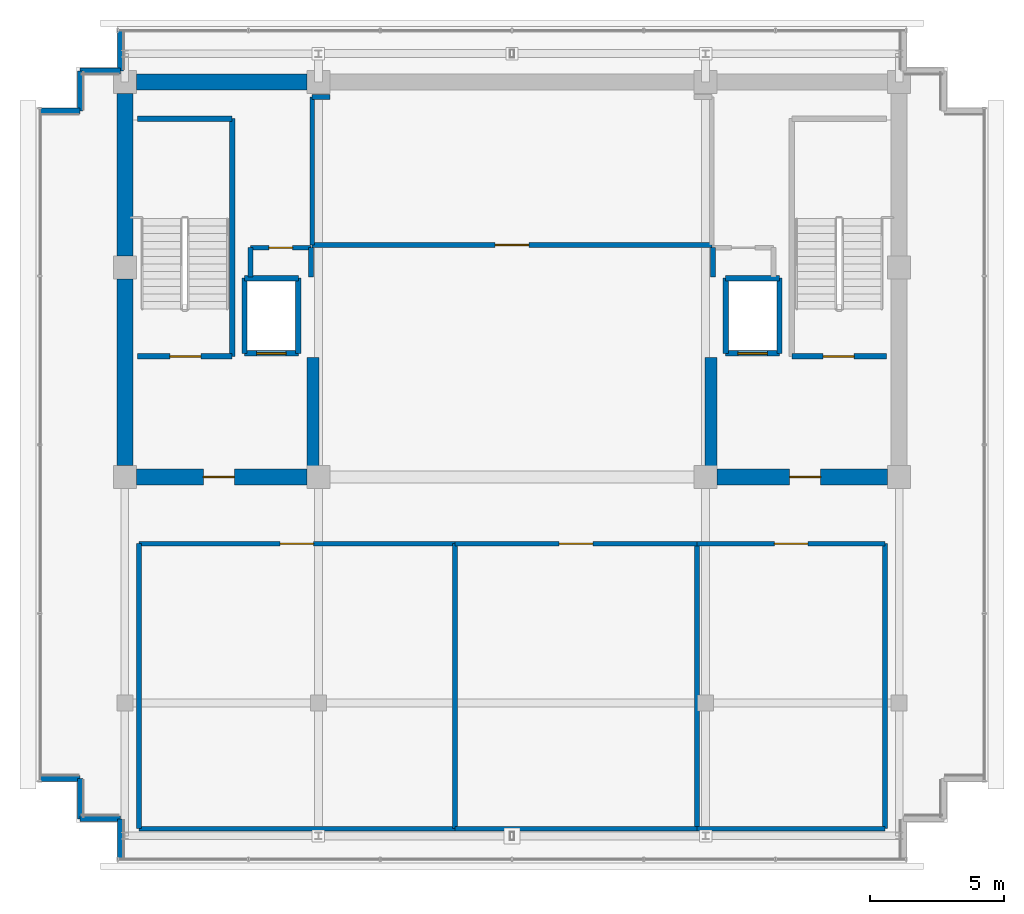
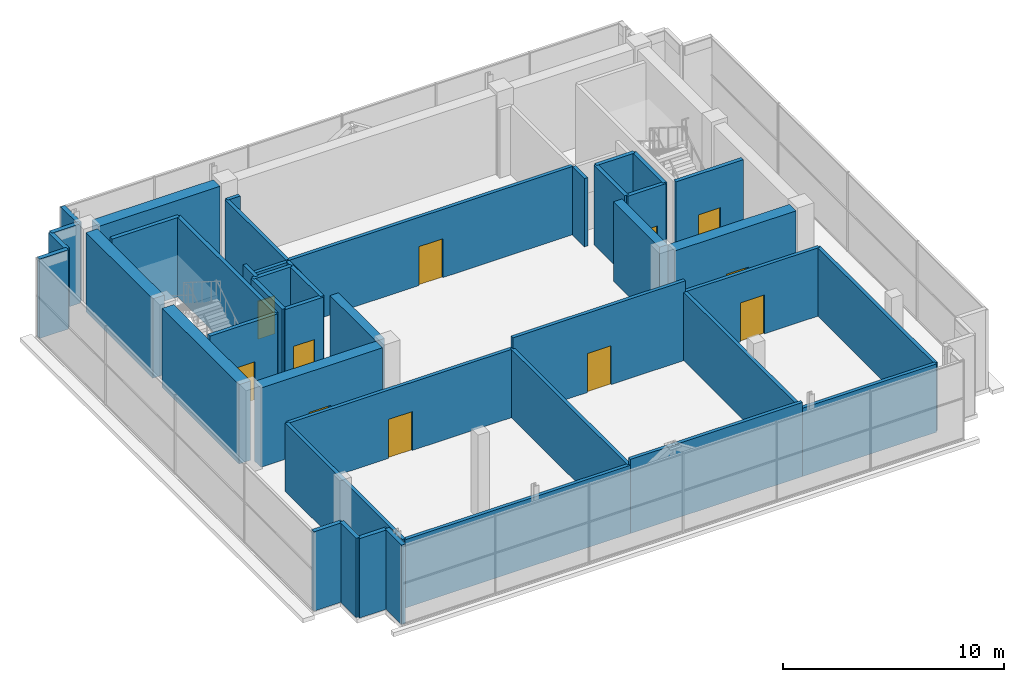
# One storey, part 24 of 27: 44 walls, 11 doors, 11 openings.
"""IFC4 building model written with IfcOpenShell, lengths in metres."""

from ifc_helpers import new_model, si_unit, direction, frame, frame_2d, origin, place, context, subcontext, project, spatial, rectangle, extrude, source, transform, mapped, material, layer, layer_set, type_object, element, fill, save


model = new_model("IFC4")

# Units and contexts
model_context = context("Model", 3, precision=1e-05, world=origin(), true_north=direction((0.0, 1.0)))
body_context = subcontext(model_context, "Body", "Model", "MODEL_VIEW")
ifc_project = project(units=[si_unit("LENGTHUNIT", "METRE"), si_unit("AREAUNIT", "SQUARE_METRE"), si_unit("VOLUMEUNIT", "CUBIC_METRE"), si_unit("PLANEANGLEUNIT", "RADIAN"), si_unit("MASSUNIT", "GRAM", prefix="KILO")], contexts=[model_context])

# Site, building, storey
site_placement = place(None, origin())
site = spatial("IfcSite", under=ifc_project, at=site_placement, CompositionType="ELEMENT")
building_placement = place(site_placement, origin())
building = spatial("IfcBuilding", under=site, at=building_placement, Name="Zarnakvel Exchange Tower", CompositionType="ELEMENT")
storey_placement = place(building_placement, frame((0.0, 0.0, 294.60009765625)))
storey = spatial("IfcBuildingStorey", under=building, at=storey_placement, Name="Crown L82", CompositionType="ELEMENT", Elevation=294.60009765625)

# Walls
ifc_material_1 = material(Name="Concrete C50/60", Category="concrete")
ifc_layer_1 = layer(ifc_material_1, 0.60009765625)
ifc_layer_set_1 = layer_set([ifc_layer_1], Name="Concrete C50/60")
wall_type_1 = type_object("IfcWallType", Name="CW-C5", PredefinedType="SHEAR", material=ifc_layer_set_1)
wall_1_placement = place(storey_placement, frame((-13.97509765625, 13.5, 0.0), z_axis=(0.0, 0.0, 1.0), x_axis=(1.0, 0.0, 0.0)))
element("IfcWall", 1, at=wall_1_placement, inside=storey, type_object=wall_type_1, Name="Crown L82 Rear Core Shear Wall N1 (CW-C5)", PredefinedType="SHEAR", context=body_context, shape_type="SweptSolid", body=[
    extrude(rectangle(XDim=6.35009765625, YDim=0.60009765625, at=frame_2d((3.175048828125, 0.0))), origin(), (0.0, 0.0, 1.0), 4.3798828125),
])
wall_2_placement = place(storey_placement, frame((-14.39990234375, -0.77490234375, 0.0), z_axis=(0.0, 0.0, 1.0), x_axis=(0.0, 1.0, 0.0)))
element("IfcWall", 2, at=wall_2_placement, inside=storey, type_object=wall_type_1, Name="Crown L82 Rear Core Shear Wall W1 (CW-C5)", PredefinedType="SHEAR", context=body_context, shape_type="SweptSolid", body=[
    extrude(rectangle(XDim=6.949951171875, YDim=0.60009765625, at=frame_2d((3.47509765625, 0.0))), origin(), (0.0, 0.0, 1.0), 4.3798828125),
])
wall_3_placement = place(storey_placement, frame((-14.39990234375, 7.02490234375, 0.0), z_axis=(0.0, 0.0, 1.0), x_axis=(0.0, 1.0, 0.0)))
element("IfcWall", 3, at=wall_3_placement, inside=storey, type_object=wall_type_1, Name="Crown L82 Rear Core Shear Wall W2 (CW-C5)", PredefinedType="SHEAR", context=body_context, shape_type="SweptSolid", body=[
    extrude(rectangle(XDim=6.050048828125, YDim=0.60009765625, at=frame_2d((3.02490234375, 0.0))), origin(), (0.0, 0.0, 1.0), 4.3798828125),
])

# Wall, opening, door
wall_4_placement = place(storey_placement, frame((-7.625, -1.199951171875, 0.0), z_axis=(0.0, 0.0, 1.0), x_axis=(-1.0, 0.0, 0.0)))
wall_4 = element("IfcWall", 4, at=wall_4_placement, inside=storey, type_object=wall_type_1, Name="Crown L82 Rear Core Shear Wall SW (CW-C5)", PredefinedType="SHEAR", context=body_context, shape_type="SweptSolid", body=[
    extrude(rectangle(XDim=6.35009765625, YDim=0.60009765625, at=frame_2d((3.175048828125, 0.0))), origin(), (0.0, 0.0, 1.0), 4.3798828125),
])
opening_1_placement = place(wall_4_placement, frame((2.699951171875, 0.0, 0.0)))
opening_1 = element("IfcOpeningElement", 5, at=opening_1_placement, cuts=wall_4, Name="Opening D-Crown L82-03", PredefinedType="OPENING", context=body_context, shape_type="SweptSolid", body=[
    extrude(rectangle(XDim=1.14990234375, YDim=2.14990234375, at=frame_2d((0.574951171875, 1.074951171875))), frame((0.0, 0.31005859375, 0.0), z_axis=(0.0, -1.0, 0.0), x_axis=(1.0, 0.0, 0.0)), (0.0, 0.0, 1.0), 0.6201171875),
])
ifc_material_2 = material(Name="Painted Galvanised Steel S355", Category="steel")
door_type_1 = type_object("IfcDoorType", Name="DT-04", OperationType="NOTDEFINED", PredefinedType="DOOR", material=ifc_material_2)
shared_shape_1 = source(origin(), body_context, "Body", "SweptSolid", [
    extrude(rectangle(XDim=1.14990234375, YDim=2.14990234375, at=frame_2d((0.574951171875, 1.074951171875))), frame((0.0, 0.02490234375, 0.0), z_axis=(0.0, -1.0, 0.0), x_axis=(1.0, 0.0, 0.0)), (0.0, 0.0, 1.0), 0.050048828125),
])
door_1_placement = place(opening_1_placement, origin())
door_1 = element("IfcDoor", 6, at=door_1_placement, inside=storey, type_object=door_type_1, Name="Crown L82 Firefighting Lobby West Door D-Crown L82-03", OperationType="SINGLE_SWING_LEFT", OverallHeight=2.14990234375, OverallWidth=1.14990234375, PredefinedType="DOOR", context=body_context, shape_type="MappedRepresentation", body=[
    mapped(shared_shape_1, transform((0.0, 0.0, 0.0), x_axis=(1.0, 0.0, 0.0), y_axis=(0.0, 1.0, 0.0), z_axis=(0.0, 0.0, 1.0), scale=1.0)),
])
fill(opening_1, door_1)

wall_5_placement = place(storey_placement, frame((13.97509765625, -1.199951171875, 0.0), z_axis=(0.0, 0.0, 1.0), x_axis=(-1.0, 0.0, 0.0)))
wall_5 = element("IfcWall", 7, at=wall_5_placement, inside=storey, type_object=wall_type_1, Name="Crown L82 Rear Core Shear Wall SE (CW-C5)", PredefinedType="SHEAR", context=body_context, shape_type="SweptSolid", body=[
    extrude(rectangle(XDim=6.35009765625, YDim=0.60009765625, at=frame_2d((3.175048828125, 0.0))), origin(), (0.0, 0.0, 1.0), 4.3798828125),
])
opening_2_placement = place(wall_5_placement, frame((2.5, 0.0, 0.0)))
opening_2 = element("IfcOpeningElement", 8, at=opening_2_placement, cuts=wall_5, Name="Opening D-Crown L82-04", PredefinedType="OPENING", context=body_context, shape_type="SweptSolid", body=[
    extrude(rectangle(XDim=1.14990234375, YDim=2.14990234375, at=frame_2d((0.574951171875, 1.074951171875))), frame((0.0, 0.31005859375, 0.0), z_axis=(0.0, -1.0, 0.0), x_axis=(1.0, 0.0, 0.0)), (0.0, 0.0, 1.0), 0.6201171875),
])
door_2_placement = place(opening_2_placement, origin())
door_2 = element("IfcDoor", 9, at=door_2_placement, inside=storey, type_object=door_type_1, Name="Crown L82 Firefighting Lobby East Door D-Crown L82-04", OperationType="SINGLE_SWING_RIGHT", OverallHeight=2.14990234375, OverallWidth=1.14990234375, PredefinedType="DOOR", context=body_context, shape_type="MappedRepresentation", body=[
    mapped(shared_shape_1, transform((0.0, 0.0, 0.0), x_axis=(1.0, 0.0, 0.0), y_axis=(0.0, 1.0, 0.0), z_axis=(0.0, 0.0, 1.0), scale=1.0)),
])
fill(opening_2, door_2)

# Walls
ifc_layer_2 = layer(ifc_material_1, 0.449951171875)
ifc_layer_set_2 = layer_set([ifc_layer_2], Name="Concrete C50/60")
wall_type_2 = type_object("IfcWallType", Name="CW-C6", PredefinedType="SHEAR", material=ifc_layer_set_2)
for number, where, z_axis, x_axis, name in (
    (10, (-7.39990234375, -0.89990234375, 0.0), (0.0, 0.0, 1.0), (0.0, 1.0, 0.0), "Crown L82 Rear Core Shear Wall IW (CW-C6)"),
    (11, (7.39990234375, -0.89990234375, 0.0), (0.0, 0.0, 1.0), (0.0, 1.0, 0.0), "Crown L82 Rear Core Shear Wall IE (CW-C6)"),
):
    element("IfcWall", number, at=place(storey_placement, frame(where, z_axis=z_axis, x_axis=x_axis)), inside=storey, type_object=wall_type_2, Name=name, PredefinedType="SHEAR", context=body_context, shape_type="SweptSolid", body=[
        extrude(rectangle(XDim=4.14990234375, YDim=0.449951171875, at=frame_2d((2.074951171875, 0.0))), origin(), (0.0, 0.0, 1.0), 4.3798828125),
    ])
ifc_material_3 = material(Name="Precast concrete C40/50", Category="concrete")
ifc_layer_3 = layer(ifc_material_3, 0.219970703125)
ifc_layer_set_3 = layer_set([ifc_layer_3], Name="Precast concrete C40/50")
wall_type_3 = type_object("IfcWallType", Name="EW-03", PredefinedType="SOLIDWALL", material=ifc_layer_set_3)
for number, where, z_axis, x_axis, name in (
    (12, (-16.06005859375, 12.409912109375, 0.0), (0.0, 0.0, 1.0), (-1.0, 0.0, 0.0), "Crown L82 Exterior Precast Spandrel Wall EW-Crown L82-C02 (EW-03)"),
    (13, (-16.06005859375, 13.909912109375, 0.0), (0.0, 0.0, 1.0), (0.0, -1.0, 0.0), "Crown L82 Exterior Precast Spandrel Wall EW-Crown L82-C03 (EW-03)"),
    (14, (-14.56005859375, 13.909912109375, 0.0), (0.0, 0.0, 1.0), (-1.0, 0.0, 0.0), "Crown L82 Exterior Precast Spandrel Wall EW-Crown L82-C04 (EW-03)"),
    (15, (-14.56005859375, 15.409912109375, 0.0), (0.0, 0.0, 1.0), (0.0, -1.0, 0.0), "Crown L82 Exterior Precast Spandrel Wall EW-Crown L82-C05 (EW-03)"),
    (16, (-14.56005859375, -13.909912109375, 0.0), (0.0, 0.0, 1.0), (0.0, -1.0, 0.0), "Crown L82 Exterior Precast Spandrel Wall EW-Crown L82-C17 (EW-03)"),
    (17, (-16.06005859375, -13.909912109375, 0.0), (0.0, 0.0, 1.0), (1.0, 0.0, 0.0), "Crown L82 Exterior Precast Spandrel Wall EW-Crown L82-C18 (EW-03)"),
    (18, (-16.06005859375, -12.409912109375, 0.0), (0.0, 0.0, 1.0), (0.0, -1.0, 0.0), "Crown L82 Exterior Precast Spandrel Wall EW-Crown L82-C19 (EW-03)"),
    (19, (-17.56005859375, -12.409912109375, 0.0), (0.0, 0.0, 1.0), (1.0, 0.0, 0.0), "Crown L82 Exterior Precast Spandrel Wall EW-Crown L82-C20 (EW-03)"),
):
    element("IfcWall", number, at=place(storey_placement, frame(where, z_axis=z_axis, x_axis=x_axis)), inside=storey, type_object=wall_type_3, Name=name, PredefinedType="SOLIDWALL", context=body_context, shape_type="SweptSolid", body=[
        extrude(rectangle(XDim=1.5, YDim=0.219970703125, at=frame_2d((0.75, 0.0))), origin(), (0.0, 0.0, 1.0), 4.3798828125),
    ])

# Wall, opening, door
ifc_material_4 = material(Name="Fire-Rated Gypsum Stud Partition", Category="gypsum")
ifc_layer_4 = layer(ifc_material_4, 0.179931640625)
ifc_layer_set_4 = layer_set([ifc_layer_4], Name="Fire-Rated Gypsum Stud Partition")
wall_type_4 = type_object("IfcWallType", Name="PT-02", PredefinedType="PARTITIONING", material=ifc_layer_set_4)
wall_6_placement = place(storey_placement, frame((7.429931640625, 7.429931640625, 0.0), z_axis=(0.0, 0.0, 1.0), x_axis=(-1.0, 0.0, 0.0)))
wall_6 = element("IfcWall", 20, at=wall_6_placement, inside=storey, type_object=wall_type_4, Name="Crown L82 Partition Wall PWALL-Crown L82-007 (PT-02)", PredefinedType="PARTITIONING", context=body_context, shape_type="SweptSolid", body=[
    extrude(rectangle(XDim=14.85986328125, YDim=0.179931640625, at=frame_2d((7.429931640625, 0.0))), origin(), (0.0, 0.0, 1.0), 3.77001953125),
])
opening_3_placement = place(wall_6_placement, frame((6.804931640625, 0.0, 0.0)))
opening_3 = element("IfcOpeningElement", 21, at=opening_3_placement, cuts=wall_6, Name="Opening D-Crown L82-05", PredefinedType="OPENING", context=body_context, shape_type="SweptSolid", body=[
    extrude(rectangle(XDim=1.25, YDim=2.14990234375, at=frame_2d((0.625, 1.074951171875))), frame((0.0, 0.099853515625, 0.0), z_axis=(0.0, -1.0, 0.0), x_axis=(1.0, 0.0, 0.0)), (0.0, 0.0, 1.0), 0.199951171875),
])
door_type_2 = type_object("IfcDoorType", Name="DT-06", OperationType="NOTDEFINED", PredefinedType="DOOR", material=ifc_material_2)
shared_shape_2 = source(origin(), body_context, "Body", "SweptSolid", [
    extrude(rectangle(XDim=1.25, YDim=2.14990234375, at=frame_2d((0.625, 1.074951171875))), frame((0.0, 0.02490234375, 0.0), z_axis=(0.0, -1.0, 0.0), x_axis=(1.0, 0.0, 0.0)), (0.0, 0.0, 1.0), 0.050048828125),
])
door_3_placement = place(opening_3_placement, origin())
door_3 = element("IfcDoor", 22, at=door_3_placement, inside=storey, type_object=door_type_2, Name="Crown L82 High-Rise Lift Machine Room Door D-Crown L82-05", OperationType="SINGLE_SWING_LEFT", OverallHeight=2.14990234375, OverallWidth=1.25, PredefinedType="DOOR", context=body_context, shape_type="MappedRepresentation", body=[
    mapped(shared_shape_2, transform((0.0, 0.0, 0.0), x_axis=(1.0, 0.0, 0.0), y_axis=(0.0, 1.0, 0.0), z_axis=(0.0, 0.0, 1.0), scale=1.0)),
])
fill(opening_3, door_3)

# Walls
wall_7_placement = place(storey_placement, frame((-7.429931640625, 12.929931640625, 0.0), z_axis=(0.0, 0.0, 1.0), x_axis=(1.0, 0.0, 0.0)))
element("IfcWall", 23, at=wall_7_placement, inside=storey, type_object=wall_type_4, Name="Crown L82 Partition Wall PWALL-Crown L82-008 (PT-02)", PredefinedType="PARTITIONING", context=body_context, shape_type="SweptSolid", body=[
    extrude(rectangle(XDim=0.655029296875, YDim=0.179931640625, at=frame_2d((0.32763671875, 0.0))), origin(), (0.0, 0.0, 1.0), 3.77001953125),
])
wall_8_placement = place(storey_placement, frame((-7.429931640625, 7.429931640625, 0.0), z_axis=(0.0, 0.0, 1.0), x_axis=(0.0, 1.0, 0.0)))
element("IfcWall", 24, at=wall_8_placement, inside=storey, type_object=wall_type_4, Name="Crown L82 Partition Wall PWALL-Crown L82-010 (PT-02)", PredefinedType="PARTITIONING", context=body_context, shape_type="SweptSolid", body=[
    extrude(rectangle(XDim=5.5, YDim=0.179931640625, at=frame_2d((2.75, 0.0))), origin(), (0.0, 0.0, 1.0), 3.77001953125),
])

# Wall, opening, door
wall_9_placement = place(storey_placement, frame((-9.72998046875, 7.330078125, 0.0), z_axis=(0.0, 0.0, 1.0), x_axis=(1.0, 0.0, 0.0)))
wall_9 = element("IfcWall", 25, at=wall_9_placement, inside=storey, type_object=wall_type_4, Name="Crown L82 Partition Wall PWALL-Crown L82-012 (PT-02)", PredefinedType="PARTITIONING", context=body_context, shape_type="SweptSolid", body=[
    extrude(rectangle(XDim=2.260009765625, YDim=0.179931640625, at=frame_2d((1.1298828125, 0.0))), origin(), (0.0, 0.0, 1.0), 3.77001953125),
])
opening_4_placement = place(wall_9_placement, frame((0.68994140625, 0.0, 0.0)))
opening_4 = element("IfcOpeningElement", 26, at=opening_4_placement, cuts=wall_9, Name="Opening D-Crown L82-09", PredefinedType="OPENING", context=body_context, shape_type="SweptSolid", body=[
    extrude(rectangle(XDim=0.8798828125, YDim=2.10009765625, at=frame_2d((0.43994140625, 1.050048828125))), frame((0.0, 0.099853515625, 0.0), z_axis=(0.0, -1.0, 0.0), x_axis=(1.0, 0.0, 0.0)), (0.0, 0.0, 1.0), 0.199951171875),
])
door_type_3 = type_object("IfcDoorType", Name="DT-08", OperationType="NOTDEFINED", PredefinedType="DOOR", material=ifc_material_2)
shared_shape_3 = source(origin(), body_context, "Body", "SweptSolid", [
    extrude(rectangle(XDim=0.8798828125, YDim=2.10009765625, at=frame_2d((0.43994140625, 1.050048828125))), frame((0.0, 0.02490234375, 0.0), z_axis=(0.0, -1.0, 0.0), x_axis=(1.0, 0.0, 0.0)), (0.0, 0.0, 1.0), 0.050048828125),
])
door_4_placement = place(opening_4_placement, origin())
door_4 = element("IfcDoor", 27, at=door_4_placement, inside=storey, type_object=door_type_3, Name="Crown L82 Electrical Riser Door D-Crown L82-09", OperationType="SINGLE_SWING_LEFT", OverallHeight=2.10009765625, OverallWidth=0.8798828125, PredefinedType="DOOR", context=body_context, shape_type="MappedRepresentation", body=[
    mapped(shared_shape_3, transform((0.0, 0.0, 0.0), x_axis=(1.0, 0.0, 0.0), y_axis=(0.0, 1.0, 0.0), z_axis=(0.0, 0.0, 1.0), scale=1.0)),
])
fill(opening_4, door_4)

# Walls
wall_10_placement = place(storey_placement, frame((-9.72998046875, 6.239990234375, 0.0), z_axis=(0.0, 0.0, 1.0), x_axis=(0.0, 1.0, 0.0)))
element("IfcWall", 28, at=wall_10_placement, inside=storey, type_object=wall_type_4, Name="Crown L82 Partition Wall PWALL-Crown L82-013 (PT-02)", PredefinedType="PARTITIONING", context=body_context, shape_type="SweptSolid", body=[
    extrude(rectangle(XDim=1.090087890625, YDim=0.179931640625, at=frame_2d((0.544921875, 0.0))), origin(), (0.0, 0.0, 1.0), 4.3798828125),
])
for number, where, z_axis, x_axis, name in (
    (29, (-7.469970703125, 7.330078125, 0.0), (0.0, 0.0, 1.0), (0.0, -1.0, 0.0), "Crown L82 Partition Wall PWALL-Crown L82-014 (PT-02)"),
    (30, (7.469970703125, 6.239990234375, 0.0), (0.0, 0.0, 1.0), (0.0, 1.0, 0.0), "Crown L82 Partition Wall PWALL-Crown L82-016 (PT-02)"),
):
    element("IfcWall", number, at=place(storey_placement, frame(where, z_axis=z_axis, x_axis=x_axis)), inside=storey, type_object=wall_type_4, Name=name, PredefinedType="PARTITIONING", context=body_context, shape_type="SweptSolid", body=[
        extrude(rectangle(XDim=1.090087890625, YDim=0.179931640625, at=frame_2d((0.544921875, 0.0))), origin(), (0.0, 0.0, 1.0), 3.77001953125),
    ])
wall_11_placement = place(storey_placement, frame((-2.1201171875, -14.280029296875, 0.0), z_axis=(0.0, 0.0, 1.0), x_axis=(-1.0, 0.0, 0.0)))
element("IfcWall", 31, at=wall_11_placement, inside=storey, type_object=wall_type_4, Name="Crown L82 Partition Wall PWALL-Crown L82-018 (PT-02)", PredefinedType="PARTITIONING", context=body_context, shape_type="SweptSolid", body=[
    extrude(rectangle(XDim=11.759765625, YDim=0.179931640625, at=frame_2d((5.8798828125, 0.0))), origin(), (0.0, 0.0, 1.0), 3.77001953125),
])

# Wall, opening, door
wall_12_placement = place(storey_placement, frame((-13.8798828125, -3.679931640625, 0.0), z_axis=(0.0, 0.0, 1.0), x_axis=(1.0, 0.0, 0.0)))
wall_12 = element("IfcWall", 32, at=wall_12_placement, inside=storey, type_object=wall_type_4, Name="Crown L82 Partition Wall PWALL-Crown L82-019 (PT-02)", PredefinedType="PARTITIONING", context=body_context, shape_type="SweptSolid", body=[
    extrude(rectangle(XDim=11.759765625, YDim=0.179931640625, at=frame_2d((5.8798828125, 0.0))), origin(), (0.0, 0.0, 1.0), 3.77001953125),
])
opening_5_placement = place(wall_12_placement, frame((5.2548828125, 0.0, 0.0)))
opening_5 = element("IfcOpeningElement", 33, at=opening_5_placement, cuts=wall_12, Name="Opening D-Crown L82-06", PredefinedType="OPENING", context=body_context, shape_type="SweptSolid", body=[
    extrude(rectangle(XDim=1.25, YDim=2.14990234375, at=frame_2d((0.625, 1.074951171875))), frame((0.0, 0.099853515625, 0.0), z_axis=(0.0, -1.0, 0.0), x_axis=(1.0, 0.0, 0.0)), (0.0, 0.0, 1.0), 0.199951171875),
])
door_5_placement = place(opening_5_placement, origin())
door_5 = element("IfcDoor", 34, at=door_5_placement, inside=storey, type_object=door_type_2, Name="Crown L82 Rainwater Harvesting Tank Room Door D-Crown L82-06", OperationType="SINGLE_SWING_RIGHT", OverallHeight=2.14990234375, OverallWidth=1.25, PredefinedType="DOOR", context=body_context, shape_type="MappedRepresentation", body=[
    mapped(shared_shape_2, transform((0.0, 0.0, 0.0), x_axis=(1.0, 0.0, 0.0), y_axis=(0.0, 1.0, 0.0), z_axis=(0.0, 0.0, 1.0), scale=1.0)),
])
fill(opening_5, door_5)

# Walls
for number, where, z_axis, x_axis, name in (
    (35, (-13.8798828125, -14.280029296875, 0.0), (0.0, 0.0, 1.0), (0.0, 1.0, 0.0), "Crown L82 Partition Wall PWALL-Crown L82-020 (PT-02)"),
    (36, (-2.1201171875, -3.679931640625, 0.0), (0.0, 0.0, 1.0), (0.0, -1.0, 0.0), "Crown L82 Partition Wall PWALL-Crown L82-021 (PT-02)"),
):
    element("IfcWall", number, at=place(storey_placement, frame(where, z_axis=z_axis, x_axis=x_axis)), inside=storey, type_object=wall_type_4, Name=name, PredefinedType="PARTITIONING", context=body_context, shape_type="SweptSolid", body=[
        extrude(rectangle(XDim=10.60009765625, YDim=0.179931640625, at=frame_2d((5.300048828125, 0.0))), origin(), (0.0, 0.0, 1.0), 3.77001953125),
    ])
wall_13_placement = place(storey_placement, frame((6.8798828125, -14.280029296875, 0.0), z_axis=(0.0, 0.0, 1.0), x_axis=(-1.0, 0.0, 0.0)))
element("IfcWall", 37, at=wall_13_placement, inside=storey, type_object=wall_type_4, Name="Crown L82 Partition Wall PWALL-Crown L82-022 (PT-02)", PredefinedType="PARTITIONING", context=body_context, shape_type="SweptSolid", body=[
    extrude(rectangle(XDim=9.0, YDim=0.179931640625, at=frame_2d((4.5, 0.0))), origin(), (0.0, 0.0, 1.0), 4.08984375),
])

# Wall, opening, door
wall_14_placement = place(storey_placement, frame((-2.1201171875, -3.679931640625, 0.0), z_axis=(0.0, 0.0, 1.0), x_axis=(1.0, 0.0, 0.0)))
wall_14 = element("IfcWall", 38, at=wall_14_placement, inside=storey, type_object=wall_type_4, Name="Crown L82 Partition Wall PWALL-Crown L82-023 (PT-02)", PredefinedType="PARTITIONING", context=body_context, shape_type="SweptSolid", body=[
    extrude(rectangle(XDim=9.0, YDim=0.179931640625, at=frame_2d((4.5, 0.0))), origin(), (0.0, 0.0, 1.0), 4.3798828125),
])
opening_6_placement = place(wall_14_placement, frame((3.875, 0.0, 0.0)))
opening_6 = element("IfcOpeningElement", 39, at=opening_6_placement, cuts=wall_14, Name="Opening D-Crown L82-07", PredefinedType="OPENING", context=body_context, shape_type="SweptSolid", body=[
    extrude(rectangle(XDim=1.25, YDim=2.14990234375, at=frame_2d((0.625, 1.074951171875))), frame((0.0, 0.099853515625, 0.0), z_axis=(0.0, -1.0, 0.0), x_axis=(1.0, 0.0, 0.0)), (0.0, 0.0, 1.0), 0.199951171875),
])
door_6_placement = place(opening_6_placement, origin())
door_6 = element("IfcDoor", 40, at=door_6_placement, inside=storey, type_object=door_type_2, Name="Crown L82 Smoke Extract Fan Plant Room Door D-Crown L82-07", OperationType="SINGLE_SWING_LEFT", OverallHeight=2.14990234375, OverallWidth=1.25, PredefinedType="DOOR", context=body_context, shape_type="MappedRepresentation", body=[
    mapped(shared_shape_2, transform((0.0, 0.0, 0.0), x_axis=(1.0, 0.0, 0.0), y_axis=(0.0, 1.0, 0.0), z_axis=(0.0, 0.0, 1.0), scale=1.0)),
])
fill(opening_6, door_6)

# Walls
wall_15_placement = place(storey_placement, frame((6.8798828125, -3.679931640625, 0.0), z_axis=(0.0, 0.0, 1.0), x_axis=(0.0, -1.0, 0.0)))
element("IfcWall", 41, at=wall_15_placement, inside=storey, type_object=wall_type_4, Name="Crown L82 Partition Wall PWALL-Crown L82-024 (PT-02)", PredefinedType="PARTITIONING", context=body_context, shape_type="SweptSolid", body=[
    extrude(rectangle(XDim=10.60009765625, YDim=0.179931640625, at=frame_2d((5.300048828125, 0.0))), origin(), (0.0, 0.0, 1.0), 3.77001953125),
])
wall_16_placement = place(storey_placement, frame((13.8798828125, -14.280029296875, 0.0), z_axis=(0.0, 0.0, 1.0), x_axis=(-1.0, 0.0, 0.0)))
element("IfcWall", 42, at=wall_16_placement, inside=storey, type_object=wall_type_4, Name="Crown L82 Partition Wall PWALL-Crown L82-025 (PT-02)", PredefinedType="PARTITIONING", context=body_context, shape_type="SweptSolid", body=[
    extrude(rectangle(XDim=7.0, YDim=0.179931640625, at=frame_2d((3.5, 0.0))), origin(), (0.0, 0.0, 1.0), 3.77001953125),
])

# Wall, opening, door
wall_17_placement = place(storey_placement, frame((6.8798828125, -3.679931640625, 0.0), z_axis=(0.0, 0.0, 1.0), x_axis=(1.0, 0.0, 0.0)))
wall_17 = element("IfcWall", 43, at=wall_17_placement, inside=storey, type_object=wall_type_4, Name="Crown L82 Partition Wall PWALL-Crown L82-026 (PT-02)", PredefinedType="PARTITIONING", context=body_context, shape_type="SweptSolid", body=[
    extrude(rectangle(XDim=7.0, YDim=0.179931640625, at=frame_2d((3.5, 0.0))), origin(), (0.0, 0.0, 1.0), 3.77001953125),
])
opening_7_placement = place(wall_17_placement, frame((2.875, 0.0, 0.0)))
opening_7 = element("IfcOpeningElement", 44, at=opening_7_placement, cuts=wall_17, Name="Opening D-Crown L82-08", PredefinedType="OPENING", context=body_context, shape_type="SweptSolid", body=[
    extrude(rectangle(XDim=1.25, YDim=2.14990234375, at=frame_2d((0.625, 1.074951171875))), frame((0.0, 0.099853515625, 0.0), z_axis=(0.0, -1.0, 0.0), x_axis=(1.0, 0.0, 0.0)), (0.0, 0.0, 1.0), 0.199951171875),
])
door_7_placement = place(opening_7_placement, origin())
door_7 = element("IfcDoor", 45, at=door_7_placement, inside=storey, type_object=door_type_2, Name="Crown L82 Roof Pressurisation Fan Room Door D-Crown L82-08", OperationType="SINGLE_SWING_RIGHT", OverallHeight=2.14990234375, OverallWidth=1.25, PredefinedType="DOOR", context=body_context, shape_type="MappedRepresentation", body=[
    mapped(shared_shape_2, transform((0.0, 0.0, 0.0), x_axis=(1.0, 0.0, 0.0), y_axis=(0.0, 1.0, 0.0), z_axis=(0.0, 0.0, 1.0), scale=1.0)),
])
fill(opening_7, door_7)

# Wall
wall_18_placement = place(storey_placement, frame((13.8798828125, -3.679931640625, 0.0), z_axis=(0.0, 0.0, 1.0), x_axis=(0.0, -1.0, 0.0)))
element("IfcWall", 46, at=wall_18_placement, inside=storey, type_object=wall_type_4, Name="Crown L82 Partition Wall PWALL-Crown L82-027 (PT-02)", PredefinedType="PARTITIONING", context=body_context, shape_type="SweptSolid", body=[
    extrude(rectangle(XDim=10.60009765625, YDim=0.179931640625, at=frame_2d((5.300048828125, 0.0))), origin(), (0.0, 0.0, 1.0), 3.77001953125),
])

# Wall, opening, door
ifc_material_5 = material(Name="Concrete C40/50", Category="concrete")
ifc_layer_5 = layer(ifc_material_5, 0.199951171875)
ifc_layer_set_5 = layer_set([ifc_layer_5], Name="Concrete C40/50")
wall_type_5 = type_object("IfcWallType", Name="SW-01", PredefinedType="SOLIDWALL", material=ifc_layer_set_5)
wall_19_placement = place(storey_placement, frame((-7.949951171875, 3.39990234375, 0.0), z_axis=(0.0, 0.0, 1.0), x_axis=(-1.0, 0.0, 0.0)))
wall_19 = element("IfcWall", 47, at=wall_19_placement, inside=storey, type_object=wall_type_5, Name="Crown L82 FL-01 Hoistway Wall South", PredefinedType="SOLIDWALL", context=body_context, shape_type="SweptSolid", body=[
    extrude(rectangle(XDim=2.0, YDim=0.199951171875, at=frame_2d((1.0, 0.0))), origin(), (0.0, 0.0, 1.0), 4.3798828125),
])
opening_8_placement = place(wall_19_placement, frame((0.449951171875, 0.0, 0.0)))
opening_8 = element("IfcOpeningElement", 48, at=opening_8_placement, cuts=wall_19, Name="Opening LD-FL-01-Crown L82", PredefinedType="OPENING", context=body_context, shape_type="SweptSolid", body=[
    extrude(rectangle(XDim=1.10009765625, YDim=2.199951171875, at=frame_2d((0.550048828125, 1.10009765625))), frame((0.0, 0.10986328125, 0.0), z_axis=(0.0, -1.0, 0.0), x_axis=(1.0, 0.0, 0.0)), (0.0, 0.0, 1.0), 0.219970703125),
])
ifc_material_6 = material(Name="Brushed Stainless Steel", Category="steel")
door_type_4 = type_object("IfcDoorType", Name="LDT-01", OperationType="NOTDEFINED", PredefinedType="DOOR", material=ifc_material_6)
shared_shape_4 = source(origin(), body_context, "Body", "SweptSolid", [
    extrude(rectangle(XDim=1.10009765625, YDim=2.199951171875, at=frame_2d((0.550048828125, 1.10009765625))), frame((0.0, 0.02490234375, 0.0), z_axis=(0.0, -1.0, 0.0), x_axis=(1.0, 0.0, 0.0)), (0.0, 0.0, 1.0), 0.050048828125),
])
door_8_placement = place(opening_8_placement, origin())
door_8 = element("IfcDoor", 49, at=door_8_placement, inside=storey, type_object=door_type_4, Name="Crown L82 FL-01 Lift Landing Door LD-FL-01-Crown L82", OperationType="DOUBLE_DOOR_SLIDING", OverallHeight=2.199951171875, OverallWidth=1.10009765625, PredefinedType="DOOR", context=body_context, shape_type="MappedRepresentation", body=[
    mapped(shared_shape_4, transform((0.0, 0.0, 0.0), x_axis=(1.0, 0.0, 0.0), y_axis=(0.0, 1.0, 0.0), z_axis=(0.0, 0.0, 1.0), scale=1.0)),
])
fill(opening_8, door_8)

# Walls
wall_20_placement = place(storey_placement, frame((-9.949951171875, 6.199951171875, 0.0), z_axis=(0.0, 0.0, 1.0), x_axis=(1.0, 0.0, 0.0)))
element("IfcWall", 50, at=wall_20_placement, inside=storey, type_object=wall_type_5, Name="Crown L82 FL-01 Hoistway Wall North", PredefinedType="SOLIDWALL", context=body_context, shape_type="SweptSolid", body=[
    extrude(rectangle(XDim=2.0, YDim=0.199951171875, at=frame_2d((1.0, 0.0))), origin(), (0.0, 0.0, 1.0), 4.3798828125),
])
for number, where, z_axis, x_axis, name in (
    (51, (-9.949951171875, 3.39990234375, 0.0), (0.0, 0.0, 1.0), (0.0, 1.0, 0.0), "Crown L82 FL-01 Hoistway Wall West"),
    (52, (-7.949951171875, 6.199951171875, 0.0), (0.0, 0.0, 1.0), (0.0, -1.0, 0.0), "Crown L82 FL-01 Hoistway Wall East"),
):
    element("IfcWall", number, at=place(storey_placement, frame(where, z_axis=z_axis, x_axis=x_axis)), inside=storey, type_object=wall_type_5, Name=name, PredefinedType="SOLIDWALL", context=body_context, shape_type="SweptSolid", body=[
        extrude(rectangle(XDim=2.800048828125, YDim=0.199951171875, at=frame_2d((1.39990234375, 0.0))), origin(), (0.0, 0.0, 1.0), 4.3798828125),
    ])

# Wall, opening, door
wall_21_placement = place(storey_placement, frame((9.949951171875, 3.39990234375, 0.0), z_axis=(0.0, 0.0, 1.0), x_axis=(-1.0, 0.0, 0.0)))
wall_21 = element("IfcWall", 53, at=wall_21_placement, inside=storey, type_object=wall_type_5, Name="Crown L82 FL-02 Hoistway Wall South", PredefinedType="SOLIDWALL", context=body_context, shape_type="SweptSolid", body=[
    extrude(rectangle(XDim=2.0, YDim=0.199951171875, at=frame_2d((1.0, 0.0))), origin(), (0.0, 0.0, 1.0), 4.3798828125),
])
opening_9_placement = place(wall_21_placement, frame((0.449951171875, 0.0, 0.0)))
opening_9 = element("IfcOpeningElement", 54, at=opening_9_placement, cuts=wall_21, Name="Opening LD-FL-02-Crown L82", PredefinedType="OPENING", context=body_context, shape_type="SweptSolid", body=[
    extrude(rectangle(XDim=1.10009765625, YDim=2.199951171875, at=frame_2d((0.550048828125, 1.10009765625))), frame((0.0, 0.10986328125, 0.0), z_axis=(0.0, -1.0, 0.0), x_axis=(1.0, 0.0, 0.0)), (0.0, 0.0, 1.0), 0.219970703125),
])
door_9_placement = place(opening_9_placement, origin())
door_9 = element("IfcDoor", 55, at=door_9_placement, inside=storey, type_object=door_type_4, Name="Crown L82 FL-02 Lift Landing Door LD-FL-02-Crown L82", OperationType="DOUBLE_DOOR_SLIDING", OverallHeight=2.199951171875, OverallWidth=1.10009765625, PredefinedType="DOOR", context=body_context, shape_type="MappedRepresentation", body=[
    mapped(shared_shape_4, transform((0.0, 0.0, 0.0), x_axis=(1.0, 0.0, 0.0), y_axis=(0.0, 1.0, 0.0), z_axis=(0.0, 0.0, 1.0), scale=1.0)),
])
fill(opening_9, door_9)

# Walls
wall_22_placement = place(storey_placement, frame((7.949951171875, 6.199951171875, 0.0), z_axis=(0.0, 0.0, 1.0), x_axis=(1.0, 0.0, 0.0)))
element("IfcWall", 56, at=wall_22_placement, inside=storey, type_object=wall_type_5, Name="Crown L82 FL-02 Hoistway Wall North", PredefinedType="SOLIDWALL", context=body_context, shape_type="SweptSolid", body=[
    extrude(rectangle(XDim=2.0, YDim=0.199951171875, at=frame_2d((1.0, 0.0))), origin(), (0.0, 0.0, 1.0), 4.3798828125),
])
for number, where, z_axis, x_axis, name in (
    (57, (7.949951171875, 3.39990234375, 0.0), (0.0, 0.0, 1.0), (0.0, 1.0, 0.0), "Crown L82 FL-02 Hoistway Wall West"),
    (58, (9.949951171875, 6.199951171875, 0.0), (0.0, 0.0, 1.0), (0.0, -1.0, 0.0), "Crown L82 FL-02 Hoistway Wall East"),
):
    element("IfcWall", number, at=place(storey_placement, frame(where, z_axis=z_axis, x_axis=x_axis)), inside=storey, type_object=wall_type_5, Name=name, PredefinedType="SOLIDWALL", context=body_context, shape_type="SweptSolid", body=[
        extrude(rectangle(XDim=2.800048828125, YDim=0.199951171875, at=frame_2d((1.39990234375, 0.0))), origin(), (0.0, 0.0, 1.0), 4.3798828125),
    ])

# Wall, opening, door
ifc_layer_6 = layer(ifc_material_5, 0.199951171875)
ifc_layer_set_6 = layer_set([ifc_layer_6], Name="Concrete C40/50")
wall_type_6 = type_object("IfcWallType", Name="SW-02", PredefinedType="SOLIDWALL", material=ifc_layer_set_6)
wall_23_placement = place(storey_placement, frame((-10.409912109375, 3.2900390625, 0.0), z_axis=(0.0, 0.0, 1.0), x_axis=(-1.0, 0.0, 0.0)))
wall_23 = element("IfcWall", 59, at=wall_23_placement, inside=storey, type_object=wall_type_6, Name="Crown L82 Stairwell Core Wall PWALL-Crown L82-001 (SW-02)", PredefinedType="SOLIDWALL", context=body_context, shape_type="SweptSolid", body=[
    extrude(rectangle(XDim=3.52001953125, YDim=0.199951171875, at=frame_2d((1.760009765625, 0.0))), origin(), (0.0, 0.0, 1.0), 4.3798828125),
])
opening_10_placement = place(wall_23_placement, frame((1.1650390625, 0.0, 0.0)))
opening_10 = element("IfcOpeningElement", 60, at=opening_10_placement, cuts=wall_23, Name="Opening D-Crown L82-01", PredefinedType="OPENING", context=body_context, shape_type="SweptSolid", body=[
    extrude(rectangle(XDim=1.14990234375, YDim=2.14990234375, at=frame_2d((0.574951171875, 1.074951171875))), frame((0.0, 0.10986328125, 0.0), z_axis=(0.0, -1.0, 0.0), x_axis=(1.0, 0.0, 0.0)), (0.0, 0.0, 1.0), 0.219970703125),
])
door_10_placement = place(opening_10_placement, origin())
door_10 = element("IfcDoor", 61, at=door_10_placement, inside=storey, type_object=door_type_1, Name="Crown L82 Stairwell ST-01 Door D-Crown L82-01", OperationType="SINGLE_SWING_LEFT", OverallHeight=2.14990234375, OverallWidth=1.14990234375, PredefinedType="DOOR", context=body_context, shape_type="MappedRepresentation", body=[
    mapped(shared_shape_1, transform((0.0, 0.0, 0.0), x_axis=(1.0, 0.0, 0.0), y_axis=(0.0, 1.0, 0.0), z_axis=(0.0, 0.0, 1.0), scale=1.0)),
])
fill(opening_10, door_10)

# Walls
wall_24_placement = place(storey_placement, frame((-13.929931640625, 12.1298828125, 0.0), z_axis=(0.0, 0.0, 1.0), x_axis=(1.0, 0.0, 0.0)))
element("IfcWall", 62, at=wall_24_placement, inside=storey, type_object=wall_type_6, Name="Crown L82 Stairwell Core Wall PWALL-Crown L82-002 (SW-02)", PredefinedType="SOLIDWALL", context=body_context, shape_type="SweptSolid", body=[
    extrude(rectangle(XDim=3.52001953125, YDim=0.199951171875, at=frame_2d((1.760009765625, 0.0))), origin(), (0.0, 0.0, 1.0), 4.3798828125),
])
wall_25_placement = place(storey_placement, frame((-10.409912109375, 12.1298828125, 0.0), z_axis=(0.0, 0.0, 1.0), x_axis=(0.0, -1.0, 0.0)))
element("IfcWall", 63, at=wall_25_placement, inside=storey, type_object=wall_type_6, Name="Crown L82 Stairwell Core Wall PWALL-Crown L82-003 (SW-02)", PredefinedType="SOLIDWALL", context=body_context, shape_type="SweptSolid", body=[
    extrude(rectangle(XDim=8.83984375, YDim=0.199951171875, at=frame_2d((4.419921875, 0.0))), origin(), (0.0, 0.0, 1.0), 4.3798828125),
])

# Wall, opening, door
wall_26_placement = place(storey_placement, frame((13.929931640625, 3.2900390625, 0.0), z_axis=(0.0, 0.0, 1.0), x_axis=(-1.0, 0.0, 0.0)))
wall_26 = element("IfcWall", 64, at=wall_26_placement, inside=storey, type_object=wall_type_6, Name="Crown L82 Stairwell Core Wall PWALL-Crown L82-004 (SW-02)", PredefinedType="SOLIDWALL", context=body_context, shape_type="SweptSolid", body=[
    extrude(rectangle(XDim=3.52001953125, YDim=0.199951171875, at=frame_2d((1.760009765625, 0.0))), origin(), (0.0, 0.0, 1.0), 4.3798828125),
])
opening_11_placement = place(wall_26_placement, frame((1.205078125, 0.0, 0.0)))
opening_11 = element("IfcOpeningElement", 65, at=opening_11_placement, cuts=wall_26, Name="Opening D-Crown L82-02", PredefinedType="OPENING", context=body_context, shape_type="SweptSolid", body=[
    extrude(rectangle(XDim=1.14990234375, YDim=2.14990234375, at=frame_2d((0.574951171875, 1.074951171875))), frame((0.0, 0.10986328125, 0.0), z_axis=(0.0, -1.0, 0.0), x_axis=(1.0, 0.0, 0.0)), (0.0, 0.0, 1.0), 0.219970703125),
])
door_11_placement = place(opening_11_placement, origin())
door_11 = element("IfcDoor", 66, at=door_11_placement, inside=storey, type_object=door_type_1, Name="Crown L82 Stairwell ST-02 Door D-Crown L82-02", OperationType="SINGLE_SWING_RIGHT", OverallHeight=2.14990234375, OverallWidth=1.14990234375, PredefinedType="DOOR", context=body_context, shape_type="MappedRepresentation", body=[
    mapped(shared_shape_1, transform((0.0, 0.0, 0.0), x_axis=(1.0, 0.0, 0.0), y_axis=(0.0, 1.0, 0.0), z_axis=(0.0, 0.0, 1.0), scale=1.0)),
])
fill(opening_11, door_11)

save(model, "model.ifc")
